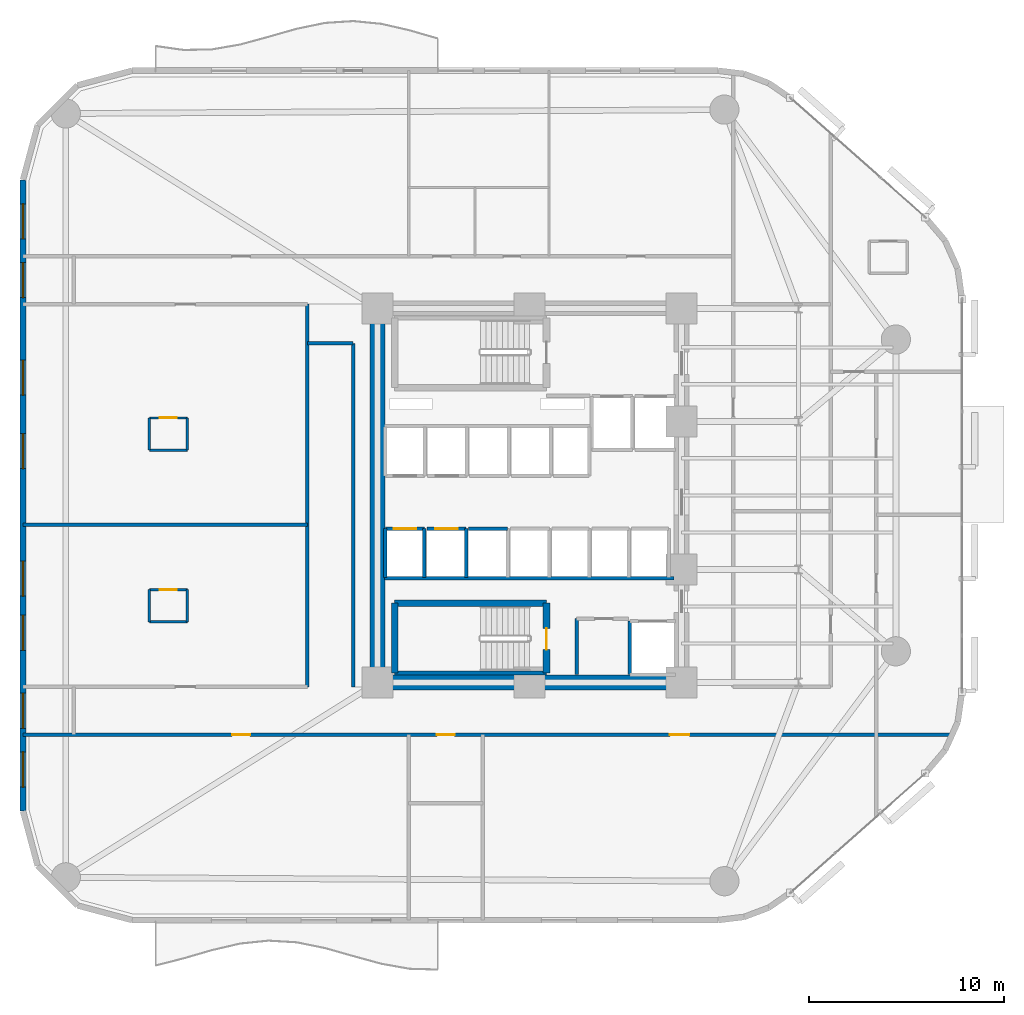
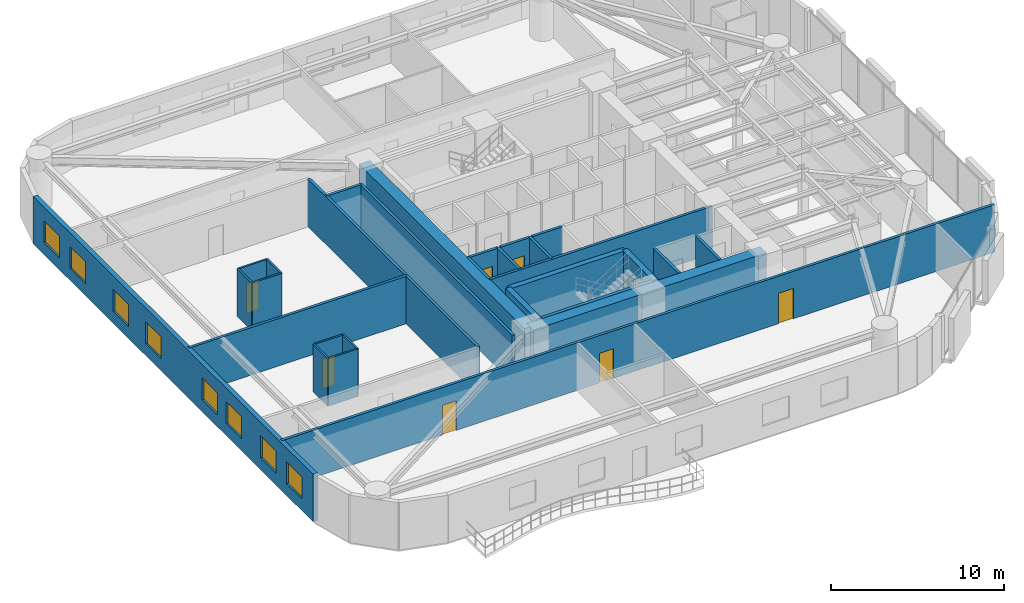
# One storey, part 10 of 16: 29 walls, 8 doors, 8 windows, 16 openings.
"""IFC4 building model written with IfcOpenShell, lengths in metres."""

from ifc_helpers import new_model, si_unit, direction, frame, frame_2d, origin, place, context, subcontext, project, spatial, rectangle, extrude, material, layer, layer_set, type_object, element, fill, save


model = new_model("IFC4")

# Units and contexts
model_context = context("Model", 3, precision=1e-05, world=origin(), true_north=direction((0.0, 1.0)))
body_context = subcontext(model_context, "Body", "Model", "MODEL_VIEW")
ifc_project = project(units=[si_unit("LENGTHUNIT", "METRE"), si_unit("AREAUNIT", "SQUARE_METRE"), si_unit("VOLUMEUNIT", "CUBIC_METRE"), si_unit("PLANEANGLEUNIT", "RADIAN"), si_unit("MASSUNIT", "GRAM", prefix="KILO")], contexts=[model_context])

# Site, building, storey
site_placement = place(None, origin())
site = spatial("IfcSite", under=ifc_project, at=site_placement, CompositionType="ELEMENT")
building_placement = place(site_placement, origin())
building = spatial("IfcBuilding", under=site, at=building_placement, Name="An Khanh Terracotta Commons", CompositionType="ELEMENT")
storey_placement = place(building_placement, frame((0.0, 0.0, 72.0)))
storey = spatial("IfcBuildingStorey", under=building, at=storey_placement, Name="L19", CompositionType="ELEMENT", Elevation=72.0)

# Walls
ifc_material_1 = material(Name="Concrete C70/85", Category="concrete")
ifc_layer_1 = layer(ifc_material_1, 0.75, Name="Concrete C70/85")
ifc_layer_set_1 = layer_set([ifc_layer_1], Name="Concrete C70/85")
wall_type_1 = type_object("IfcWallType", Name="WALL-CORE-750", PredefinedType="SHEAR", material=ifc_layer_set_1)
wall_1_placement = place(storey_placement, frame((21.60009765625, 14.39990234375, 0.0), z_axis=(0.0, 0.0, 1.0), x_axis=(0.0, 1.0, 0.0)))
element("IfcWall", 1, at=wall_1_placement, inside=storey, type_object=wall_type_1, Name="L19 Core Wall CWALL-L19-W", PredefinedType="SHEAR", context=body_context, shape_type="SweptSolid", body=[
    extrude(rectangle(XDim=19.2001953125, YDim=0.75, at=frame_2d((9.60009765625, 0.0))), origin(), (0.0, 0.0, 1.0), 3.360107421875),
])
wall_2_placement = place(storey_placement, frame((37.199951171875, 14.39990234375, 0.0), z_axis=(0.0, 0.0, 1.0), x_axis=(-1.0, 0.0, 0.0)))
element("IfcWall", 2, at=wall_2_placement, inside=storey, type_object=wall_type_1, Name="L19 Core Wall CWALL-L19-S", PredefinedType="SHEAR", context=body_context, shape_type="SweptSolid", body=[
    extrude(rectangle(XDim=15.599853515625, YDim=0.75, at=frame_2d((7.7998046875, 0.0))), origin(), (0.0, 0.0, 1.0), 3.360107421875),
])
ifc_material_2 = material(Name="Fire-Rated Gypsum Board on Steel Stud", Category="steel")
ifc_layer_2 = layer(ifc_material_2, 0.179931640625, Name="Fire-Rated Gypsum Board on Steel Stud")
ifc_layer_set_2 = layer_set([ifc_layer_2], Name="Fire-Rated Gypsum Board on Steel Stud")
wall_type_2 = type_object("IfcWallType", Name="WALL-CORR-180", PredefinedType="PARTITIONING", material=ifc_layer_set_2)
wall_3_placement = place(storey_placement, frame((21.949951171875, 19.760009765625, 0.0), z_axis=(0.0, 0.0, 1.0), x_axis=(1.0, 0.0, 0.0)))
element("IfcWall", 3, at=wall_3_placement, inside=storey, type_object=wall_type_2, Name="L19 Core Wall SVW-L19-N", PredefinedType="PARTITIONING", context=body_context, shape_type="SweptSolid", body=[
    extrude(rectangle(XDim=14.8701171875, YDim=0.179931640625, at=frame_2d((7.43505859375, 0.0))), origin(), (0.0, 0.0, 1.0), 3.360107421875),
])
wall_4_placement = place(storey_placement, frame((31.820068359375, 14.800048828125, 0.0), z_axis=(0.0, 0.0, 1.0), x_axis=(0.0, 1.0, 0.0)))
element("IfcWall", 4, at=wall_4_placement, inside=storey, type_object=wall_type_2, Name="L19 Core Wall SSVCW-L19-W", PredefinedType="PARTITIONING", context=body_context, shape_type="SweptSolid", body=[
    extrude(rectangle(XDim=2.8798828125, YDim=0.179931640625, at=frame_2d((1.43994140625, 0.0))), origin(), (0.0, 0.0, 1.0), 3.360107421875),
])
wall_5_placement = place(storey_placement, frame((34.550048828125, 17.550048828125, 0.0), z_axis=(0.0, 0.0, 1.0), x_axis=(0.0, -1.0, 0.0)))
element("IfcWall", 5, at=wall_5_placement, inside=storey, type_object=wall_type_2, Name="L19 Core Wall LSH-L19-SVL-01-W", PredefinedType="PARTITIONING", context=body_context, shape_type="SweptSolid", body=[
    extrude(rectangle(XDim=2.75, YDim=0.179931640625, at=frame_2d((1.375, 0.0))), origin(), (0.0, 0.0, 1.0), 3.360107421875),
])

# Wall, opening, door
wall_6_placement = place(storey_placement, frame((22.0, 22.300048828125, 0.0), z_axis=(0.0, 0.0, 1.0), x_axis=(1.0, 0.0, 0.0)))
wall_6 = element("IfcWall", 6, at=wall_6_placement, inside=storey, type_object=wall_type_2, Name="L19 Core Wall LSH-L19-PL-L3-N", PredefinedType="PARTITIONING", context=body_context, shape_type="SweptSolid", body=[
    extrude(rectangle(XDim=2.0, YDim=0.179931640625, at=frame_2d((1.0, 0.0))), origin(), (0.0, 0.0, 1.0), 3.360107421875),
])
opening_1_placement = place(wall_6_placement, frame((0.425048828125, 0.0, 0.0)))
opening_1 = element("IfcOpeningElement", 7, at=opening_1_placement, cuts=wall_6, Name="Opening LD-PL-L3-L19", PredefinedType="OPENING", context=body_context, shape_type="SweptSolid", body=[
    extrude(rectangle(XDim=1.14990234375, YDim=2.199951171875, at=frame_2d((0.574951171875, 1.10009765625))), frame((0.0, 0.099853515625, 0.0), z_axis=(0.0, -1.0, 0.0), x_axis=(1.0, 0.0, 0.0)), (0.0, 0.0, 1.0), 0.199951171875),
])
ifc_material_3 = material(Name="Brushed Stainless Steel Passenger Landing Door", Category="steel")
door_type_1 = type_object("IfcDoorType", Name="DOOR-LD-PAX-1150", OperationType="NOTDEFINED", PredefinedType="DOOR", material=ifc_material_3)
door_1_placement = place(opening_1_placement, origin())
door_1 = element("IfcDoor", 8, at=door_1_placement, inside=storey, type_object=door_type_1, Name="L19 Lift PL-L3 Sliding Landing Door", OperationType="DOUBLE_DOOR_SLIDING", OverallHeight=2.199951171875, OverallWidth=1.14990234375, PredefinedType="DOOR", context=body_context, shape_type="SweptSolid", body=[
    extrude(rectangle(XDim=1.14990234375, YDim=2.199951171875, at=frame_2d((0.574951171875, 1.10009765625))), frame((0.0, 0.02490234375, 0.0), z_axis=(0.0, -1.0, 0.0), x_axis=(1.0, 0.0, 0.0)), (0.0, 0.0, 1.0), 0.050048828125),
])
fill(opening_1, door_1)

# Walls
for number, where, z_axis, x_axis, name in (
    (9, (24.0, 19.800048828125, 0.0), (0.0, 0.0, 1.0), (0.0, 1.0, 0.0), "L19 Core Wall LSH-L19-PL-L3-E"),
    (10, (22.0, 22.300048828125, 0.0), (0.0, 0.0, 1.0), (0.0, -1.0, 0.0), "L19 Core Wall LSH-L19-PL-L3-W"),
):
    element("IfcWall", number, at=place(storey_placement, frame(where, z_axis=z_axis, x_axis=x_axis)), inside=storey, type_object=wall_type_2, Name=name, PredefinedType="PARTITIONING", context=body_context, shape_type="SweptSolid", body=[
        extrude(rectangle(XDim=2.5, YDim=0.179931640625, at=frame_2d((1.25, 0.0))), origin(), (0.0, 0.0, 1.0), 3.360107421875),
    ])

# Wall, opening, door
wall_7_placement = place(storey_placement, frame((24.139892578125, 22.300048828125, 0.0), z_axis=(0.0, 0.0, 1.0), x_axis=(1.0, 0.0, 0.0)))
wall_7 = element("IfcWall", 11, at=wall_7_placement, inside=storey, type_object=wall_type_2, Name="L19 Core Wall LSH-L19-PL-L4-N", PredefinedType="PARTITIONING", context=body_context, shape_type="SweptSolid", body=[
    extrude(rectangle(XDim=2.0, YDim=0.179931640625, at=frame_2d((1.0, 0.0))), origin(), (0.0, 0.0, 1.0), 3.360107421875),
])
opening_2_placement = place(wall_7_placement, frame((0.425048828125, 0.0, 0.0)))
opening_2 = element("IfcOpeningElement", 12, at=opening_2_placement, cuts=wall_7, Name="Opening LD-PL-L4-L19", PredefinedType="OPENING", context=body_context, shape_type="SweptSolid", body=[
    extrude(rectangle(XDim=1.14990234375, YDim=2.199951171875, at=frame_2d((0.574951171875, 1.10009765625))), frame((0.0, 0.099853515625, 0.0), z_axis=(0.0, -1.0, 0.0), x_axis=(1.0, 0.0, 0.0)), (0.0, 0.0, 1.0), 0.199951171875),
])
door_2_placement = place(opening_2_placement, origin())
door_2 = element("IfcDoor", 13, at=door_2_placement, inside=storey, type_object=door_type_1, Name="L19 Lift PL-L4 Sliding Landing Door", OperationType="DOUBLE_DOOR_SLIDING", OverallHeight=2.199951171875, OverallWidth=1.14990234375, PredefinedType="DOOR", context=body_context, shape_type="SweptSolid", body=[
    extrude(rectangle(XDim=1.14990234375, YDim=2.199951171875, at=frame_2d((0.574951171875, 1.10009765625))), frame((0.0, 0.02490234375, 0.0), z_axis=(0.0, -1.0, 0.0), x_axis=(1.0, 0.0, 0.0)), (0.0, 0.0, 1.0), 0.050048828125),
])
fill(opening_2, door_2)

# Walls
wall_8_placement = place(storey_placement, frame((26.139892578125, 19.800048828125, 0.0), z_axis=(0.0, 0.0, 1.0), x_axis=(0.0, 1.0, 0.0)))
element("IfcWall", 14, at=wall_8_placement, inside=storey, type_object=wall_type_2, Name="L19 Core Wall LSH-L19-PL-L4-E", PredefinedType="PARTITIONING", context=body_context, shape_type="SweptSolid", body=[
    extrude(rectangle(XDim=2.5, YDim=0.179931640625, at=frame_2d((1.25, 0.0))), origin(), (0.0, 0.0, 1.0), 3.360107421875),
])
wall_9_placement = place(storey_placement, frame((26.280029296875, 22.300048828125, 0.0), z_axis=(0.0, 0.0, 1.0), x_axis=(1.0, 0.0, 0.0)))
element("IfcWall", 15, at=wall_9_placement, inside=storey, type_object=wall_type_2, Name="L19 Core Wall LSH-L19-PL-M3-N", PredefinedType="PARTITIONING", context=body_context, shape_type="SweptSolid", body=[
    extrude(rectangle(XDim=2.0, YDim=0.179931640625, at=frame_2d((1.0, 0.0))), origin(), (0.0, 0.0, 1.0), 3.360107421875),
])

# Wall, openings, doors
wall_10_placement = place(storey_placement, frame((3.39990234375, 11.719970703125, 0.0), z_axis=(0.0, 0.0, 1.0), x_axis=(1.0, 0.0, 0.0)))
wall_10 = element("IfcWall", 16, at=wall_10_placement, inside=storey, type_object=wall_type_2, Name="L19 Interior Partition IW-L19-E002", PredefinedType="PARTITIONING", context=body_context, shape_type="SweptSolid", body=[
    extrude(rectangle(XDim=47.689208984375, YDim=0.179931640625, at=frame_2d((23.8447265625, 0.0))), origin(), (0.0, 0.0, 1.0), 3.360107421875),
])
opening_3_placement = place(wall_10_placement, frame((21.239990234375, 0.0, 0.0)))
opening_3 = element("IfcOpeningElement", 17, at=opening_3_placement, cuts=wall_10, Name="Opening D-RM", PredefinedType="OPENING", context=body_context, shape_type="SweptSolid", body=[
    extrude(rectangle(XDim=0.919921875, YDim=2.10009765625, at=frame_2d((0.4599609375, 1.050048828125))), frame((0.0, 0.099853515625, 0.0), z_axis=(0.0, -1.0, 0.0), x_axis=(1.0, 0.0, 0.0)), (0.0, 0.0, 1.0), 0.199951171875),
])
opening_4_placement = place(wall_10_placement, frame((10.739990234375, 0.0, 0.0)))
opening_4 = element("IfcOpeningElement", 18, at=opening_4_placement, cuts=wall_10, Name="Opening D-RM", PredefinedType="OPENING", context=body_context, shape_type="SweptSolid", body=[
    extrude(rectangle(XDim=0.919921875, YDim=2.10009765625, at=frame_2d((0.4599609375, 1.050048828125))), frame((0.0, 0.099853515625, 0.0), z_axis=(0.0, -1.0, 0.0), x_axis=(1.0, 0.0, 0.0)), (0.0, 0.0, 1.0), 0.199951171875),
])
opening_5_placement = place(wall_10_placement, frame((33.199951171875, 0.0, 0.0)))
opening_5 = element("IfcOpeningElement", 19, at=opening_5_placement, cuts=wall_10, Name="Opening D-UN", PredefinedType="OPENING", context=body_context, shape_type="SweptSolid", body=[
    extrude(rectangle(XDim=1.0, YDim=2.14990234375, at=frame_2d((0.5, 1.074951171875))), frame((0.0, 0.099853515625, 0.0), z_axis=(0.0, -1.0, 0.0), x_axis=(1.0, 0.0, 0.0)), (0.0, 0.0, 1.0), 0.199951171875),
])
ifc_material_4 = material(Name="Engineered Hardwood Timber Leaf", Category="wood")
door_type_2 = type_object("IfcDoorType", Name="DOOR-INT-920", OperationType="NOTDEFINED", PredefinedType="DOOR", material=ifc_material_4)
door_3_placement = place(opening_3_placement, origin())
door_3 = element("IfcDoor", 20, at=door_3_placement, inside=storey, type_object=door_type_2, Name="L19 HKP Housekeeping Linen Store Door", OperationType="SINGLE_SWING_LEFT", OverallHeight=2.10009765625, OverallWidth=0.919921875, PredefinedType="DOOR", context=body_context, shape_type="SweptSolid", body=[
    extrude(rectangle(XDim=0.919921875, YDim=2.10009765625, at=frame_2d((0.4599609375, 1.050048828125))), frame((0.0, 0.02490234375, 0.0), z_axis=(0.0, -1.0, 0.0), x_axis=(1.0, 0.0, 0.0)), (0.0, 0.0, 1.0), 0.050048828125),
])
fill(opening_3, door_3)
door_4_placement = place(opening_4_placement, origin())
door_4 = element("IfcDoor", 21, at=door_4_placement, inside=storey, type_object=door_type_2, Name="L19 SW1 Student Reading Library Door", OperationType="SINGLE_SWING_LEFT", OverallHeight=2.10009765625, OverallWidth=0.919921875, PredefinedType="DOOR", context=body_context, shape_type="SweptSolid", body=[
    extrude(rectangle(XDim=0.919921875, YDim=2.10009765625, at=frame_2d((0.4599609375, 1.050048828125))), frame((0.0, 0.02490234375, 0.0), z_axis=(0.0, -1.0, 0.0), x_axis=(1.0, 0.0, 0.0)), (0.0, 0.0, 1.0), 0.050048828125),
])
fill(opening_4, door_4)
ifc_material_5 = material(Name="Solid-Core Hardwood Acoustic Fire Door", Category="wood")
door_type_3 = type_object("IfcDoorType", Name="DOOR-UNIT-1000", OperationType="NOTDEFINED", PredefinedType="DOOR", material=ifc_material_5)
door_5_placement = place(opening_5_placement, origin())
door_5 = element("IfcDoor", 22, at=door_5_placement, inside=storey, type_object=door_type_3, Name="L19 SWE Yoga Studio Door", OperationType="SINGLE_SWING_RIGHT", OverallHeight=2.14990234375, OverallWidth=1.0, PredefinedType="DOOR", context=body_context, shape_type="SweptSolid", body=[
    extrude(rectangle(XDim=1.0, YDim=2.14990234375, at=frame_2d((0.5, 1.074951171875))), frame((0.0, 0.02490234375, 0.0), z_axis=(0.0, -1.0, 0.0), x_axis=(1.0, 0.0, 0.0)), (0.0, 0.0, 1.0), 0.050048828125),
])
fill(opening_5, door_5)

# Walls
wall_11_placement = place(storey_placement, frame((3.39990234375, 22.5, 0.0), z_axis=(0.0, 0.0, 1.0), x_axis=(1.0, 0.0, 0.0)))
element("IfcWall", 23, at=wall_11_placement, inside=storey, type_object=wall_type_2, Name="L19 Interior Partition IW-L19-E005", PredefinedType="PARTITIONING", context=body_context, shape_type="SweptSolid", body=[
    extrude(rectangle(XDim=14.60009765625, YDim=0.179931640625, at=frame_2d((7.300048828125, 0.0))), origin(), (0.0, 0.0, 1.0), 3.360107421875),
])
wall_12_placement = place(storey_placement, frame((18.0, 31.800048828125, 0.0), z_axis=(0.0, 0.0, 1.0), x_axis=(1.0, 0.0, 0.0)))
element("IfcWall", 24, at=wall_12_placement, inside=storey, type_object=wall_type_2, Name="L19 Interior Partition IW-L19-E009", PredefinedType="PARTITIONING", context=body_context, shape_type="SweptSolid", body=[
    extrude(rectangle(XDim=2.35009765625, YDim=0.179931640625, at=frame_2d((1.175048828125, 0.0))), origin(), (0.0, 0.0, 1.0), 3.360107421875),
])
wall_13_placement = place(storey_placement, frame((18.0, 14.179931640625, 0.0), z_axis=(0.0, 0.0, 1.0), x_axis=(0.0, 1.0, 0.0)))
element("IfcWall", 25, at=wall_13_placement, inside=storey, type_object=wall_type_2, Name="L19 Interior Partition IW-L19-E016", PredefinedType="PARTITIONING", context=body_context, shape_type="SweptSolid", body=[
    extrude(rectangle(XDim=19.64013671875, YDim=0.179931640625, at=frame_2d((9.820068359375, 0.0))), origin(), (0.0, 0.0, 1.0), 3.360107421875),
])
wall_14_placement = place(storey_placement, frame((20.35009765625, 14.179931640625, 0.0), z_axis=(0.0, 0.0, 1.0), x_axis=(0.0, 1.0, 0.0)))
element("IfcWall", 26, at=wall_14_placement, inside=storey, type_object=wall_type_2, Name="L19 Interior Partition IW-L19-E017", PredefinedType="PARTITIONING", context=body_context, shape_type="SweptSolid", body=[
    extrude(rectangle(XDim=17.6201171875, YDim=0.179931640625, at=frame_2d((8.81005859375, 0.0))), origin(), (0.0, 0.0, 1.0), 3.360107421875),
])

# Wall, openings, windows
ifc_material_6 = material(Name="Precast concrete C40/50", Category="concrete")
ifc_layer_3 = layer(ifc_material_6, 0.300048828125, Name="Precast concrete C40/50")
ifc_layer_set_3 = layer_set([ifc_layer_3], Name="Precast concrete C40/50")
wall_type_3 = type_object("IfcWallType", Name="WALL-EXT-300", PredefinedType="SOLIDWALL", material=ifc_layer_set_3)
wall_15_placement = place(storey_placement, frame((3.39990234375, 40.199951171875, 0.0), z_axis=(0.0, 0.0, 1.0), x_axis=(0.0, -1.0, 0.0)))
wall_15 = element("IfcWall", 27, at=wall_15_placement, inside=storey, type_object=wall_type_3, Name="L19 Insulated Terracotta Exterior Wall 24", PredefinedType="SOLIDWALL", context=body_context, shape_type="SweptSolid", body=[
    extrude(rectangle(XDim=32.39990234375, YDim=0.300048828125, at=frame_2d((16.199951171875, 0.0))), origin(), (0.0, 0.0, 1.0), 3.360107421875),
])
opening_6_placement = place(wall_15_placement, frame((1.235107421875, 0.0, 0.85009765625)))
opening_6 = element("IfcOpeningElement", 28, at=opening_6_placement, cuts=wall_15, Name="Opening W-01", PredefinedType="OPENING", context=body_context, shape_type="SweptSolid", body=[
    extrude(rectangle(XDim=1.800048828125, YDim=1.550048828125, at=frame_2d((0.89990234375, 0.77490234375))), frame((0.0, 0.159912109375, 0.0), z_axis=(0.0, -1.0, 0.0), x_axis=(1.0, 0.0, 0.0)), (0.0, 0.0, 1.0), 0.320068359375),
])
opening_7_placement = place(wall_15_placement, frame((4.25, 0.0, 0.85009765625)))
opening_7 = element("IfcOpeningElement", 29, at=opening_7_placement, cuts=wall_15, Name="Opening W-01", PredefinedType="OPENING", context=body_context, shape_type="SweptSolid", body=[
    extrude(rectangle(XDim=1.800048828125, YDim=1.550048828125, at=frame_2d((0.89990234375, 0.77490234375))), frame((0.0, 0.159912109375, 0.0), z_axis=(0.0, -1.0, 0.0), x_axis=(1.0, 0.0, 0.0)), (0.0, 0.0, 1.0), 0.320068359375),
])
opening_8_placement = place(wall_15_placement, frame((9.2529296875, 0.0, 0.85009765625)))
opening_8 = element("IfcOpeningElement", 30, at=opening_8_placement, cuts=wall_15, Name="Opening W-01", PredefinedType="OPENING", context=body_context, shape_type="SweptSolid", body=[
    extrude(rectangle(XDim=1.800048828125, YDim=1.550048828125, at=frame_2d((0.89990234375, 0.77490234375))), frame((0.0, 0.159912109375, 0.0), z_axis=(0.0, -1.0, 0.0), x_axis=(1.0, 0.0, 0.0)), (0.0, 0.0, 1.0), 0.320068359375),
])
opening_9_placement = place(wall_15_placement, frame((13.027099609375, 0.0, 0.85009765625)))
opening_9 = element("IfcOpeningElement", 31, at=opening_9_placement, cuts=wall_15, Name="Opening W-01", PredefinedType="OPENING", context=body_context, shape_type="SweptSolid", body=[
    extrude(rectangle(XDim=1.800048828125, YDim=1.550048828125, at=frame_2d((0.89990234375, 0.77490234375))), frame((0.0, 0.159912109375, 0.0), z_axis=(0.0, -1.0, 0.0), x_axis=(1.0, 0.0, 0.0)), (0.0, 0.0, 1.0), 0.320068359375),
])
opening_10_placement = place(wall_15_placement, frame((19.572998046875, 0.0, 0.85009765625)))
opening_10 = element("IfcOpeningElement", 32, at=opening_10_placement, cuts=wall_15, Name="Opening W-01", PredefinedType="OPENING", context=body_context, shape_type="SweptSolid", body=[
    extrude(rectangle(XDim=1.800048828125, YDim=1.550048828125, at=frame_2d((0.89990234375, 0.77490234375))), frame((0.0, 0.159912109375, 0.0), z_axis=(0.0, -1.0, 0.0), x_axis=(1.0, 0.0, 0.0)), (0.0, 0.0, 1.0), 0.320068359375),
])
opening_11_placement = place(wall_15_placement, frame((22.346923828125, 0.0, 0.85009765625)))
opening_11 = element("IfcOpeningElement", 33, at=opening_11_placement, cuts=wall_15, Name="Opening W-01", PredefinedType="OPENING", context=body_context, shape_type="SweptSolid", body=[
    extrude(rectangle(XDim=1.800048828125, YDim=1.550048828125, at=frame_2d((0.89990234375, 0.77490234375))), frame((0.0, 0.159912109375, 0.0), z_axis=(0.0, -1.0, 0.0), x_axis=(1.0, 0.0, 0.0)), (0.0, 0.0, 1.0), 0.320068359375),
])
opening_12_placement = place(wall_15_placement, frame((26.35009765625, 0.0, 0.85009765625)))
opening_12 = element("IfcOpeningElement", 34, at=opening_12_placement, cuts=wall_15, Name="Opening W-01", PredefinedType="OPENING", context=body_context, shape_type="SweptSolid", body=[
    extrude(rectangle(XDim=1.800048828125, YDim=1.550048828125, at=frame_2d((0.89990234375, 0.77490234375))), frame((0.0, 0.159912109375, 0.0), z_axis=(0.0, -1.0, 0.0), x_axis=(1.0, 0.0, 0.0)), (0.0, 0.0, 1.0), 0.320068359375),
])
opening_13_placement = place(wall_15_placement, frame((29.364990234375, 0.0, 0.85009765625)))
opening_13 = element("IfcOpeningElement", 35, at=opening_13_placement, cuts=wall_15, Name="Opening W-01", PredefinedType="OPENING", context=body_context, shape_type="SweptSolid", body=[
    extrude(rectangle(XDim=1.800048828125, YDim=1.550048828125, at=frame_2d((0.89990234375, 0.77490234375))), frame((0.0, 0.159912109375, 0.0), z_axis=(0.0, -1.0, 0.0), x_axis=(1.0, 0.0, 0.0)), (0.0, 0.0, 1.0), 0.320068359375),
])
ifc_material_7 = material(Name="Thermally Broken Aluminium and Low-E Glass", Category="aluminium")
window_type = type_object("IfcWindowType", Name="WIN-Z1-1800x1550", PartitioningType="DOUBLE_PANEL_VERTICAL", PredefinedType="WINDOW", material=ifc_material_7)
window_1_placement = place(opening_6_placement, origin())
window_1 = element("IfcWindow", 36, at=window_1_placement, inside=storey, type_object=window_type, Name="L19 Operable Casement Window 24.1", OverallHeight=1.550048828125, OverallWidth=1.800048828125, PartitioningType="DOUBLE_PANEL_VERTICAL", PredefinedType="WINDOW", context=body_context, shape_type="SweptSolid", body=[
    extrude(rectangle(XDim=1.800048828125, YDim=1.550048828125, at=frame_2d((0.89990234375, 0.77490234375))), frame((0.0, 0.030029296875, 0.0), z_axis=(0.0, -1.0, 0.0), x_axis=(1.0, 0.0, 0.0)), (0.0, 0.0, 1.0), 0.06005859375),
])
fill(opening_6, window_1)
window_2_placement = place(opening_7_placement, origin())
window_2 = element("IfcWindow", 37, at=window_2_placement, inside=storey, type_object=window_type, Name="L19 Operable Casement Window 24.2", OverallHeight=1.550048828125, OverallWidth=1.800048828125, PartitioningType="DOUBLE_PANEL_VERTICAL", PredefinedType="WINDOW", context=body_context, shape_type="SweptSolid", body=[
    extrude(rectangle(XDim=1.800048828125, YDim=1.550048828125, at=frame_2d((0.89990234375, 0.77490234375))), frame((0.0, 0.030029296875, 0.0), z_axis=(0.0, -1.0, 0.0), x_axis=(1.0, 0.0, 0.0)), (0.0, 0.0, 1.0), 0.06005859375),
])
fill(opening_7, window_2)
window_3_placement = place(opening_8_placement, origin())
window_3 = element("IfcWindow", 38, at=window_3_placement, inside=storey, type_object=window_type, Name="L19 Operable Casement Window 24.3", OverallHeight=1.550048828125, OverallWidth=1.800048828125, PartitioningType="DOUBLE_PANEL_VERTICAL", PredefinedType="WINDOW", context=body_context, shape_type="SweptSolid", body=[
    extrude(rectangle(XDim=1.800048828125, YDim=1.550048828125, at=frame_2d((0.89990234375, 0.77490234375))), frame((0.0, 0.030029296875, 0.0), z_axis=(0.0, -1.0, 0.0), x_axis=(1.0, 0.0, 0.0)), (0.0, 0.0, 1.0), 0.06005859375),
])
fill(opening_8, window_3)
window_4_placement = place(opening_9_placement, origin())
window_4 = element("IfcWindow", 39, at=window_4_placement, inside=storey, type_object=window_type, Name="L19 Operable Casement Window 24.4", OverallHeight=1.550048828125, OverallWidth=1.800048828125, PartitioningType="DOUBLE_PANEL_VERTICAL", PredefinedType="WINDOW", context=body_context, shape_type="SweptSolid", body=[
    extrude(rectangle(XDim=1.800048828125, YDim=1.550048828125, at=frame_2d((0.89990234375, 0.77490234375))), frame((0.0, 0.030029296875, 0.0), z_axis=(0.0, -1.0, 0.0), x_axis=(1.0, 0.0, 0.0)), (0.0, 0.0, 1.0), 0.06005859375),
])
fill(opening_9, window_4)
window_5_placement = place(opening_10_placement, origin())
window_5 = element("IfcWindow", 40, at=window_5_placement, inside=storey, type_object=window_type, Name="L19 Operable Casement Window 24.5", OverallHeight=1.550048828125, OverallWidth=1.800048828125, PartitioningType="DOUBLE_PANEL_VERTICAL", PredefinedType="WINDOW", context=body_context, shape_type="SweptSolid", body=[
    extrude(rectangle(XDim=1.800048828125, YDim=1.550048828125, at=frame_2d((0.89990234375, 0.77490234375))), frame((0.0, 0.030029296875, 0.0), z_axis=(0.0, -1.0, 0.0), x_axis=(1.0, 0.0, 0.0)), (0.0, 0.0, 1.0), 0.06005859375),
])
fill(opening_10, window_5)
window_6_placement = place(opening_11_placement, origin())
window_6 = element("IfcWindow", 41, at=window_6_placement, inside=storey, type_object=window_type, Name="L19 Operable Casement Window 24.6", OverallHeight=1.550048828125, OverallWidth=1.800048828125, PartitioningType="DOUBLE_PANEL_VERTICAL", PredefinedType="WINDOW", context=body_context, shape_type="SweptSolid", body=[
    extrude(rectangle(XDim=1.800048828125, YDim=1.550048828125, at=frame_2d((0.89990234375, 0.77490234375))), frame((0.0, 0.030029296875, 0.0), z_axis=(0.0, -1.0, 0.0), x_axis=(1.0, 0.0, 0.0)), (0.0, 0.0, 1.0), 0.06005859375),
])
fill(opening_11, window_6)
window_7_placement = place(opening_12_placement, origin())
window_7 = element("IfcWindow", 42, at=window_7_placement, inside=storey, type_object=window_type, Name="L19 Operable Casement Window 24.7", OverallHeight=1.550048828125, OverallWidth=1.800048828125, PartitioningType="DOUBLE_PANEL_VERTICAL", PredefinedType="WINDOW", context=body_context, shape_type="SweptSolid", body=[
    extrude(rectangle(XDim=1.800048828125, YDim=1.550048828125, at=frame_2d((0.89990234375, 0.77490234375))), frame((0.0, 0.030029296875, 0.0), z_axis=(0.0, -1.0, 0.0), x_axis=(1.0, 0.0, 0.0)), (0.0, 0.0, 1.0), 0.06005859375),
])
fill(opening_12, window_7)
window_8_placement = place(opening_13_placement, origin())
window_8 = element("IfcWindow", 43, at=window_8_placement, inside=storey, type_object=window_type, Name="L19 Operable Casement Window 24.8", OverallHeight=1.550048828125, OverallWidth=1.800048828125, PartitioningType="DOUBLE_PANEL_VERTICAL", PredefinedType="WINDOW", context=body_context, shape_type="SweptSolid", body=[
    extrude(rectangle(XDim=1.800048828125, YDim=1.550048828125, at=frame_2d((0.89990234375, 0.77490234375))), frame((0.0, 0.030029296875, 0.0), z_axis=(0.0, -1.0, 0.0), x_axis=(1.0, 0.0, 0.0)), (0.0, 0.0, 1.0), 0.06005859375),
])
fill(opening_13, window_8)

# Walls
ifc_material_8 = material(Name="Acoustic Double-Stud Gypsum and Mineral Wool")
ifc_layer_4 = layer(ifc_material_8, 0.219970703125, Name="Acoustic Double-Stud Gypsum and Mineral Wool")
ifc_layer_set_4 = layer_set([ifc_layer_4], Name="Acoustic Double-Stud Gypsum and Mineral Wool")
wall_type_4 = type_object("IfcWallType", Name="WALL-PARTY-220", PredefinedType="PARTITIONING", material=ifc_layer_set_4)
wall_16_placement = place(storey_placement, frame((22.47998046875, 14.889892578125, 0.0), z_axis=(0.0, 0.0, 1.0), x_axis=(1.0, 0.0, 0.0)))
element("IfcWall", 44, at=wall_16_placement, inside=storey, type_object=wall_type_4, Name="L19 Core Wall STW-L19-S-S", PredefinedType="PARTITIONING", context=body_context, shape_type="SweptSolid", body=[
    extrude(rectangle(XDim=7.7900390625, YDim=0.219970703125, at=frame_2d((3.89501953125, 0.0))), origin(), (0.0, 0.0, 1.0), 3.360107421875),
])
ifc_material_9 = material(Name="Concrete C50/60", Category="concrete")
ifc_layer_5 = layer(ifc_material_9, 0.35009765625, Name="Concrete C50/60")
ifc_layer_set_5 = layer_set([ifc_layer_5], Name="Concrete C50/60")
wall_type_5 = type_object("IfcWallType", Name="WALL-SHAFT-350", PredefinedType="SOLIDWALL", material=ifc_layer_set_5)
wall_17_placement = place(storey_placement, frame((22.47998046875, 18.469970703125, 0.0), z_axis=(0.0, 0.0, 1.0), x_axis=(1.0, 0.0, 0.0)))
element("IfcWall", 45, at=wall_17_placement, inside=storey, type_object=wall_type_5, Name="L19 Core Wall STW-L19-S-N", PredefinedType="SOLIDWALL", context=body_context, shape_type="SweptSolid", body=[
    extrude(rectangle(XDim=7.7900390625, YDim=0.35009765625, at=frame_2d((3.89501953125, 0.0))), origin(), (0.0, 0.0, 1.0), 3.360107421875),
])
wall_18_placement = place(storey_placement, frame((22.47998046875, 14.889892578125, 0.0), z_axis=(0.0, 0.0, 1.0), x_axis=(0.0, 1.0, 0.0)))
element("IfcWall", 46, at=wall_18_placement, inside=storey, type_object=wall_type_5, Name="L19 Core Wall STW-L19-S-W", PredefinedType="SOLIDWALL", context=body_context, shape_type="SweptSolid", body=[
    extrude(rectangle(XDim=3.580078125, YDim=0.35009765625, at=frame_2d((1.7900390625, 0.0))), origin(), (0.0, 0.0, 1.0), 3.360107421875),
])

# Wall, opening, door
wall_19_placement = place(storey_placement, frame((30.27001953125, 14.889892578125, 0.0), z_axis=(0.0, 0.0, 1.0), x_axis=(0.0, 1.0, 0.0)))
wall_19 = element("IfcWall", 47, at=wall_19_placement, inside=storey, type_object=wall_type_5, Name="L19 Core Wall STW-L19-S-E", PredefinedType="SOLIDWALL", context=body_context, shape_type="SweptSolid", body=[
    extrude(rectangle(XDim=3.580078125, YDim=0.35009765625, at=frame_2d((1.7900390625, 0.0))), origin(), (0.0, 0.0, 1.0), 3.360107421875),
])
opening_14_placement = place(wall_19_placement, frame((1.18994140625, 0.0, 0.0)))
opening_14 = element("IfcOpeningElement", 48, at=opening_14_placement, cuts=wall_19, Name="Opening D-ST", PredefinedType="OPENING", context=body_context, shape_type="SweptSolid", body=[
    extrude(rectangle(XDim=1.10009765625, YDim=2.14990234375, at=frame_2d((0.550048828125, 1.074951171875))), frame((0.0, 0.18505859375, 0.0), z_axis=(0.0, -1.0, 0.0), x_axis=(1.0, 0.0, 0.0)), (0.0, 0.0, 1.0), 0.3701171875),
])
ifc_material_10 = material(Name="Fire-Rated Steel Leaf and Frame", Category="steel")
door_type_4 = type_object("IfcDoorType", Name="DOOR-STAIR-1100", OperationType="NOTDEFINED", PredefinedType="DOOR", material=ifc_material_10)
door_6_placement = place(opening_14_placement, origin())
door_6 = element("IfcDoor", 49, at=door_6_placement, inside=storey, type_object=door_type_4, Name="L19 Stair ST-02 Fire Door", OperationType="SINGLE_SWING_RIGHT", OverallHeight=2.14990234375, OverallWidth=1.10009765625, PredefinedType="DOOR", context=body_context, shape_type="SweptSolid", body=[
    extrude(rectangle(XDim=1.10009765625, YDim=2.14990234375, at=frame_2d((0.550048828125, 1.074951171875))), frame((0.0, 0.02490234375, 0.0), z_axis=(0.0, -1.0, 0.0), x_axis=(1.0, 0.0, 0.0)), (0.0, 0.0, 1.0), 0.050048828125),
])
fill(opening_14, door_6)

ifc_material_11 = material(Name="Moisture-Resistant Cement Board Partition")
ifc_layer_6 = layer(ifc_material_11, 0.1201171875, Name="Moisture-Resistant Cement Board Partition")
ifc_layer_set_6 = layer_set([ifc_layer_6], Name="Moisture-Resistant Cement Board Partition")
wall_type_6 = type_object("IfcWallType", Name="WALL-WET-120", PredefinedType="PARTITIONING", material=ifc_layer_set_6)
wall_20_placement = place(storey_placement, frame((9.885009765625, 19.1650390625, 0.0), z_axis=(0.0, 0.0, 1.0), x_axis=(1.0, 0.0, 0.0)))
wall_20 = element("IfcWall", 50, at=wall_20_placement, inside=storey, type_object=wall_type_6, Name="L19 Interior Partition IW-L19-WW1-BN", PredefinedType="PARTITIONING", context=body_context, shape_type="SweptSolid", body=[
    extrude(rectangle(XDim=1.949951171875, YDim=0.1201171875, at=frame_2d((0.97509765625, 0.0))), origin(), (0.0, 0.0, 1.0), 3.360107421875),
])
opening_15_placement = place(wall_20_placement, frame((0.544921875, 0.0, 0.0)))
opening_15 = element("IfcOpeningElement", 51, at=opening_15_placement, cuts=wall_20, Name="Opening D-ENS", PredefinedType="OPENING", context=body_context, shape_type="SweptSolid", body=[
    extrude(rectangle(XDim=0.860107421875, YDim=2.10009765625, at=frame_2d((0.43017578125, 1.050048828125))), frame((0.0, 0.070068359375, 0.0), z_axis=(0.0, -1.0, 0.0), x_axis=(1.0, 0.0, 0.0)), (0.0, 0.0, 1.0), 0.14013671875),
])
ifc_material_12 = material(Name="Moisture-Resistant Hardwood Timber Leaf", Category="wood")
door_type_5 = type_object("IfcDoorType", Name="DOOR-BATH-860", OperationType="NOTDEFINED", PredefinedType="DOOR", material=ifc_material_12)
door_7_placement = place(opening_15_placement, origin())
door_7 = element("IfcDoor", 52, at=door_7_placement, inside=storey, type_object=door_type_5, Name="L19 Studio WW1 En-suite Door", OperationType="SINGLE_SWING_LEFT", OverallHeight=2.10009765625, OverallWidth=0.860107421875, PredefinedType="DOOR", context=body_context, shape_type="SweptSolid", body=[
    extrude(rectangle(XDim=0.860107421875, YDim=2.10009765625, at=frame_2d((0.43017578125, 1.050048828125))), frame((0.0, 0.02490234375, 0.0), z_axis=(0.0, -1.0, 0.0), x_axis=(1.0, 0.0, 0.0)), (0.0, 0.0, 1.0), 0.050048828125),
])
fill(opening_15, door_7)

# Walls
wall_21_placement = place(storey_placement, frame((11.8349609375, 17.514892578125, 0.0), z_axis=(0.0, 0.0, 1.0), x_axis=(-1.0, 0.0, 0.0)))
element("IfcWall", 53, at=wall_21_placement, inside=storey, type_object=wall_type_6, Name="L19 Interior Partition IW-L19-WW1-BS", PredefinedType="PARTITIONING", context=body_context, shape_type="SweptSolid", body=[
    extrude(rectangle(XDim=1.949951171875, YDim=0.1201171875, at=frame_2d((0.97509765625, 0.0))), origin(), (0.0, 0.0, 1.0), 3.360107421875),
])
for number, where, z_axis, x_axis, name in (
    (54, (9.885009765625, 19.1650390625, 0.0), (0.0, 0.0, 1.0), (0.0, -1.0, 0.0), "L19 Interior Partition IW-L19-WW1-BW"),
    (55, (11.8349609375, 17.514892578125, 0.0), (0.0, 0.0, 1.0), (0.0, 1.0, 0.0), "L19 Interior Partition IW-L19-WW1-BE"),
):
    element("IfcWall", number, at=place(storey_placement, frame(where, z_axis=z_axis, x_axis=x_axis)), inside=storey, type_object=wall_type_6, Name=name, PredefinedType="PARTITIONING", context=body_context, shape_type="SweptSolid", body=[
        extrude(rectangle(XDim=1.650146484375, YDim=0.1201171875, at=frame_2d((0.8251953125, 0.0))), origin(), (0.0, 0.0, 1.0), 3.360107421875),
    ])

# Wall, opening, door
wall_22_placement = place(storey_placement, frame((9.885009765625, 27.97509765625, 0.0), z_axis=(0.0, 0.0, 1.0), x_axis=(1.0, 0.0, 0.0)))
wall_22 = element("IfcWall", 56, at=wall_22_placement, inside=storey, type_object=wall_type_6, Name="L19 Interior Partition IW-L19-WW2-BN", PredefinedType="PARTITIONING", context=body_context, shape_type="SweptSolid", body=[
    extrude(rectangle(XDim=1.949951171875, YDim=0.1201171875, at=frame_2d((0.97509765625, 0.0))), origin(), (0.0, 0.0, 1.0), 3.360107421875),
])
opening_16_placement = place(wall_22_placement, frame((0.544921875, 0.0, 0.0)))
opening_16 = element("IfcOpeningElement", 57, at=opening_16_placement, cuts=wall_22, Name="Opening D-ENS", PredefinedType="OPENING", context=body_context, shape_type="SweptSolid", body=[
    extrude(rectangle(XDim=0.860107421875, YDim=2.10009765625, at=frame_2d((0.43017578125, 1.050048828125))), frame((0.0, 0.070068359375, 0.0), z_axis=(0.0, -1.0, 0.0), x_axis=(1.0, 0.0, 0.0)), (0.0, 0.0, 1.0), 0.14013671875),
])
door_8_placement = place(opening_16_placement, origin())
door_8 = element("IfcDoor", 58, at=door_8_placement, inside=storey, type_object=door_type_5, Name="L19 Studio WW2 En-suite Door", OperationType="SINGLE_SWING_RIGHT", OverallHeight=2.10009765625, OverallWidth=0.860107421875, PredefinedType="DOOR", context=body_context, shape_type="SweptSolid", body=[
    extrude(rectangle(XDim=0.860107421875, YDim=2.10009765625, at=frame_2d((0.43017578125, 1.050048828125))), frame((0.0, 0.02490234375, 0.0), z_axis=(0.0, -1.0, 0.0), x_axis=(1.0, 0.0, 0.0)), (0.0, 0.0, 1.0), 0.050048828125),
])
fill(opening_16, door_8)

# Walls
wall_23_placement = place(storey_placement, frame((11.8349609375, 26.324951171875, 0.0), z_axis=(0.0, 0.0, 1.0), x_axis=(-1.0, 0.0, 0.0)))
element("IfcWall", 59, at=wall_23_placement, inside=storey, type_object=wall_type_6, Name="L19 Interior Partition IW-L19-WW2-BS", PredefinedType="PARTITIONING", context=body_context, shape_type="SweptSolid", body=[
    extrude(rectangle(XDim=1.949951171875, YDim=0.1201171875, at=frame_2d((0.97509765625, 0.0))), origin(), (0.0, 0.0, 1.0), 3.360107421875),
])
for number, where, z_axis, x_axis, name in (
    (60, (9.885009765625, 27.97509765625, 0.0), (0.0, 0.0, 1.0), (0.0, -1.0, 0.0), "L19 Interior Partition IW-L19-WW2-BW"),
    (61, (11.8349609375, 26.324951171875, 0.0), (0.0, 0.0, 1.0), (0.0, 1.0, 0.0), "L19 Interior Partition IW-L19-WW2-BE"),
):
    element("IfcWall", number, at=place(storey_placement, frame(where, z_axis=z_axis, x_axis=x_axis)), inside=storey, type_object=wall_type_6, Name=name, PredefinedType="PARTITIONING", context=body_context, shape_type="SweptSolid", body=[
        extrude(rectangle(XDim=1.650146484375, YDim=0.1201171875, at=frame_2d((0.8251953125, 0.0))), origin(), (0.0, 0.0, 1.0), 3.360107421875),
    ])

save(model, "model.ifc")
